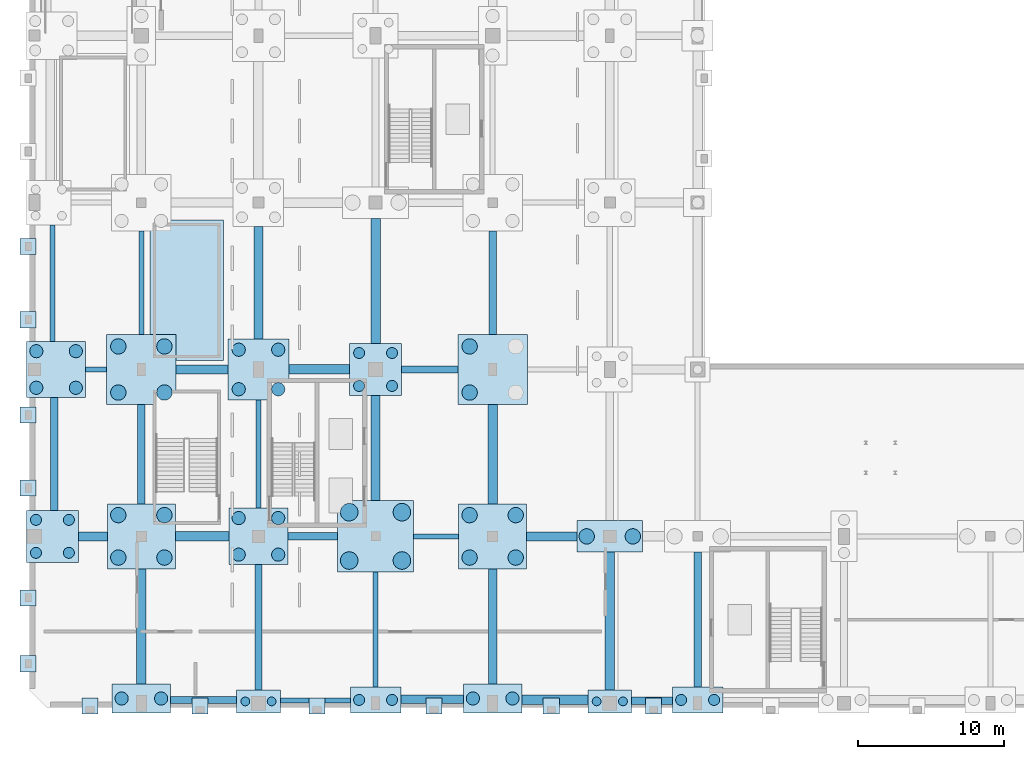
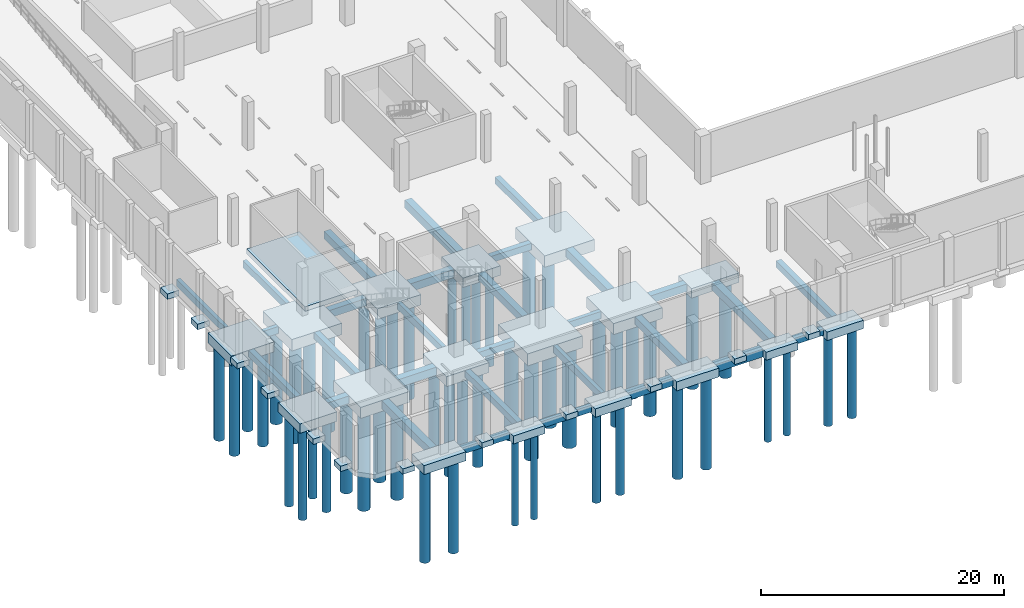
# One storey, part 1 of 34: 60 footings, 52 piles.
"""IFC4 building model written with IfcOpenShell, lengths in metres."""

from ifc_helpers import new_model, si_unit, direction, frame, origin, origin_2d, place, context, subcontext, project, spatial, rectangle, circle, extrude, material, material_profile, profile_set, type_object, element, save


model = new_model("IFC4")

# Units and contexts
model_context = context("Model", 3, precision=1e-05, world=origin(), true_north=direction((0.0, 1.0)))
body_context = subcontext(model_context, "Body", "Model", "MODEL_VIEW")
ifc_project = project(units=[si_unit("LENGTHUNIT", "METRE"), si_unit("AREAUNIT", "SQUARE_METRE"), si_unit("VOLUMEUNIT", "CUBIC_METRE"), si_unit("PLANEANGLEUNIT", "RADIAN"), si_unit("MASSUNIT", "GRAM", prefix="KILO"), si_unit("POWERUNIT", "WATT"), si_unit("THERMODYNAMICTEMPERATUREUNIT", "KELVIN")], contexts=[model_context])

# Site, building, storey
site_placement = place(None, origin())
site = spatial("IfcSite", under=ifc_project, at=site_placement, CompositionType="ELEMENT")
building_placement = place(site_placement, origin())
building = spatial("IfcBuilding", under=site, at=building_placement, Name="Kelmbourne Parkland Aquatics Centre", CompositionType="ELEMENT")
storey_placement = place(building_placement, frame((0.0, 0.0, -4.800048828125)))
storey = spatial("IfcBuildingStorey", under=building, at=storey_placement, Name="B1", CompositionType="ELEMENT", Elevation=-4.800048828125)

# Footings
ifc_material = material(Name="Waterproof concrete C50/60", Category="concrete")
footing_type_1 = type_object("IfcFootingType", Name="FT-FB1", PredefinedType="FOOTING_BEAM", material=ifc_material)
footing_1_placement = place(storey_placement, frame((12.25, 1.02490234375, -1.099853515625), z_axis=(0.0, 0.0, 1.0), x_axis=(1.0, 0.0, 0.0)))
element("IfcFooting", 1, at=footing_1_placement, inside=storey, type_object=footing_type_1, Name="Ground tie beam B-C on Grid 01", PredefinedType="FOOTING_BEAM", context=body_context, shape_type="SweptSolid", body=[
    extrude(rectangle(XDim=4.5, YDim=0.5, at=origin_2d()), origin(), (0.0, 0.0, 1.0), 0.64990234375),
])
footing_2_placement = place(storey_placement, frame((42.887451171875, 0.97509765625, -1.099853515625), z_axis=(0.0, 0.0, 1.0), x_axis=(1.0, 0.0, 0.0)))
element("IfcFooting", 2, at=footing_2_placement, inside=storey, type_object=footing_type_1, Name="Ground tie beam F-G on Grid 01", PredefinedType="FOOTING_BEAM", context=body_context, shape_type="SweptSolid", body=[
    extrude(rectangle(XDim=2.77490234375, YDim=0.5, at=origin_2d()), origin(), (0.0, 0.0, 1.0), 0.64990234375),
])
footing_3_placement = place(storey_placement, frame((19.71240234375, 12.199951171875, -1.099853515625), z_axis=(0.0, 0.0, 1.0), x_axis=(1.0, 0.0, 0.0)))
element("IfcFooting", 3, at=footing_3_placement, inside=storey, type_object=footing_type_1, Name="Ground tie beam C-D on Grid 03", PredefinedType="FOOTING_BEAM", context=body_context, shape_type="SweptSolid", body=[
    extrude(rectangle(XDim=3.375, YDim=0.5, at=origin_2d()), origin(), (0.0, 0.0, 1.0), 0.64990234375),
])
footing_4_placement = place(storey_placement, frame((27.699951171875, 23.60009765625, -1.099853515625), z_axis=(0.0, 0.0, 1.0), x_axis=(1.0, 0.0, 0.0)))
element("IfcFooting", 4, at=footing_4_placement, inside=storey, type_object=footing_type_1, Name="Ground tie beam D-E on Grid 04", PredefinedType="FOOTING_BEAM", context=body_context, shape_type="SweptSolid", body=[
    extrude(rectangle(XDim=3.85009765625, YDim=0.5, at=origin_2d()), origin(), (0.0, 0.0, 1.0), 0.64990234375),
])
footing_5_placement = place(storey_placement, frame((2.050048828125, 17.824951171875, -1.099853515625), z_axis=(0.0, 0.0, 1.0), x_axis=(0.0, 1.0, 0.0)))
element("IfcFooting", 5, at=footing_5_placement, inside=storey, type_object=footing_type_1, Name="Ground tie beam 03-04 on Grid A", PredefinedType="FOOTING_BEAM", context=body_context, shape_type="SweptSolid", body=[
    extrude(rectangle(XDim=7.699951171875, YDim=0.5, at=origin_2d()), origin(), (0.0, 0.0, 1.0), 0.64990234375),
])
footing_6_placement = place(storey_placement, frame((8.0, 17.824951171875, -1.099853515625), z_axis=(0.0, 0.0, 1.0), x_axis=(0.0, 1.0, 0.0)))
element("IfcFooting", 6, at=footing_6_placement, inside=storey, type_object=footing_type_1, Name="Ground tie beam 03-04 on Grid B", PredefinedType="FOOTING_BEAM", context=body_context, shape_type="SweptSolid", body=[
    extrude(rectangle(XDim=6.800048828125, YDim=0.5, at=origin_2d()), origin(), (0.0, 0.0, 1.0), 0.64990234375),
])
footing_7_placement = place(storey_placement, frame((16.0, 5.987548828125, -1.099853515625), z_axis=(0.0, 0.0, 1.0), x_axis=(0.0, 1.0, 0.0)))
element("IfcFooting", 7, at=footing_7_placement, inside=storey, type_object=footing_type_1, Name="Ground tie beam 01-03 on Grid C", PredefinedType="FOOTING_BEAM", context=body_context, shape_type="SweptSolid", body=[
    extrude(rectangle(XDim=8.574951171875, YDim=0.5, at=origin_2d()), origin(), (0.0, 0.0, 1.0), 0.64990234375),
])
footing_8_placement = place(storey_placement, frame((32.0, 29.52490234375, -1.099853515625), z_axis=(0.0, 0.0, 1.0), x_axis=(0.0, 1.0, 0.0)))
element("IfcFooting", 8, at=footing_8_placement, inside=storey, type_object=footing_type_1, Name="Ground tie beam 04-05 on Grid E", PredefinedType="FOOTING_BEAM", context=body_context, shape_type="SweptSolid", body=[
    extrude(rectangle(XDim=7.10009765625, YDim=0.5, at=origin_2d()), origin(), (0.0, 0.0, 1.0), 0.64990234375),
])
footing_9_placement = place(storey_placement, frame((46.0, 6.512451171875, -1.099853515625), z_axis=(0.0, 0.0, 1.0), x_axis=(0.0, 1.0, 0.0)))
element("IfcFooting", 9, at=footing_9_placement, inside=storey, type_object=footing_type_1, Name="Ground tie beam 01-03 on Grid G", PredefinedType="FOOTING_BEAM", context=body_context, shape_type="SweptSolid", body=[
    extrude(rectangle(XDim=9.22509765625, YDim=0.5, at=origin_2d()), origin(), (0.0, 0.0, 1.0), 0.64990234375),
])
footing_type_2 = type_object("IfcFootingType", Name="FT-FB2", PredefinedType="FOOTING_BEAM", material=ifc_material)
footing_10_placement = place(storey_placement, frame((19.887451171875, 0.97509765625, -1.14990234375), z_axis=(0.0, 0.0, 1.0), x_axis=(1.0, 0.0, 0.0)))
element("IfcFooting", 10, at=footing_10_placement, inside=storey, type_object=footing_type_2, Name="Ground tie beam C-D on Grid 01", PredefinedType="FOOTING_BEAM", context=body_context, shape_type="SweptSolid", body=[
    extrude(rectangle(XDim=4.77490234375, YDim=0.35009765625, at=origin_2d()), origin(), (0.0, 0.0, 1.0), 0.699951171875),
])
footing_11_placement = place(storey_placement, frame((28.137451171875, 12.199951171875, -1.14990234375), z_axis=(0.0, 0.0, 1.0), x_axis=(1.0, 0.0, 0.0)))
element("IfcFooting", 11, at=footing_11_placement, inside=storey, type_object=footing_type_2, Name="Ground tie beam D-E on Grid 03", PredefinedType="FOOTING_BEAM", context=body_context, shape_type="SweptSolid", body=[
    extrude(rectangle(XDim=3.074951171875, YDim=0.35009765625, at=origin_2d()), origin(), (0.0, 0.0, 1.0), 0.699951171875),
])
footing_12_placement = place(storey_placement, frame((4.91259765625, 23.60009765625, -1.14990234375), z_axis=(0.0, 0.0, 1.0), x_axis=(1.0, 0.0, 0.0)))
element("IfcFooting", 12, at=footing_12_placement, inside=storey, type_object=footing_type_2, Name="Ground tie beam A-B on Grid 04", PredefinedType="FOOTING_BEAM", context=body_context, shape_type="SweptSolid", body=[
    extrude(rectangle(XDim=1.425048828125, YDim=0.35009765625, at=origin_2d()), origin(), (0.0, 0.0, 1.0), 0.699951171875),
])
footing_13_placement = place(storey_placement, frame((1.925048828125, 29.5, -1.14990234375), z_axis=(0.0, 0.0, 1.0), x_axis=(0.0, 1.0, 0.0)))
element("IfcFooting", 13, at=footing_13_placement, inside=storey, type_object=footing_type_2, Name="Ground tie beam 04-05 on Grid A", PredefinedType="FOOTING_BEAM", context=body_context, shape_type="SweptSolid", body=[
    extrude(rectangle(XDim=7.949951171875, YDim=0.35009765625, at=origin_2d()), origin(), (0.0, 0.0, 1.0), 0.699951171875),
])
footing_14_placement = place(storey_placement, frame((8.0, 29.52490234375, -1.14990234375), z_axis=(0.0, 0.0, 1.0), x_axis=(0.0, 1.0, 0.0)))
element("IfcFooting", 14, at=footing_14_placement, inside=storey, type_object=footing_type_2, Name="Ground tie beam 04-05 on Grid B", PredefinedType="FOOTING_BEAM", context=body_context, shape_type="SweptSolid", body=[
    extrude(rectangle(XDim=7.10009765625, YDim=0.35009765625, at=origin_2d()), origin(), (0.0, 0.0, 1.0), 0.699951171875),
])
footing_15_placement = place(storey_placement, frame((16.0, 17.824951171875, -1.14990234375), z_axis=(0.0, 0.0, 1.0), x_axis=(0.0, 1.0, 0.0)))
element("IfcFooting", 15, at=footing_15_placement, inside=storey, type_object=footing_type_2, Name="Ground tie beam 03-04 on Grid C", PredefinedType="FOOTING_BEAM", context=body_context, shape_type="SweptSolid", body=[
    extrude(rectangle(XDim=7.39990234375, YDim=0.35009765625, at=origin_2d()), origin(), (0.0, 0.0, 1.0), 0.699951171875),
])
footing_16_placement = place(storey_placement, frame((24.0, 5.824951171875, -1.14990234375), z_axis=(0.0, 0.0, 1.0), x_axis=(0.0, 1.0, 0.0)))
element("IfcFooting", 16, at=footing_16_placement, inside=storey, type_object=footing_type_2, Name="Ground tie beam 01-03 on Grid D", PredefinedType="FOOTING_BEAM", context=body_context, shape_type="SweptSolid", body=[
    extrude(rectangle(XDim=7.85009765625, YDim=0.35009765625, at=origin_2d()), origin(), (0.0, 0.0, 1.0), 0.699951171875),
])
footing_type_3 = type_object("IfcFootingType", Name="FT-FB3", PredefinedType="FOOTING_BEAM", material=ifc_material)
footing_17_placement = place(storey_placement, frame((27.862548828125, 1.074951171875, -1.199951171875), z_axis=(0.0, 0.0, 1.0), x_axis=(1.0, 0.0, 0.0)))
element("IfcFooting", 17, at=footing_17_placement, inside=storey, type_object=footing_type_3, Name="Ground tie beam D-E on Grid 01", PredefinedType="FOOTING_BEAM", context=body_context, shape_type="SweptSolid", body=[
    extrude(rectangle(XDim=4.27490234375, YDim=0.60009765625, at=origin_2d()), origin(), (0.0, 0.0, 1.0), 0.75),
])
footing_18_placement = place(storey_placement, frame((4.6875, 12.199951171875, -1.199951171875), z_axis=(0.0, 0.0, 1.0), x_axis=(1.0, 0.0, 0.0)))
element("IfcFooting", 18, at=footing_18_placement, inside=storey, type_object=footing_type_3, Name="Ground tie beam A-B on Grid 03", PredefinedType="FOOTING_BEAM", context=body_context, shape_type="SweptSolid", body=[
    extrude(rectangle(XDim=1.97509765625, YDim=0.60009765625, at=origin_2d()), origin(), (0.0, 0.0, 1.0), 0.75),
])
footing_19_placement = place(storey_placement, frame((36.03759765625, 12.199951171875, -1.199951171875), z_axis=(0.0, 0.0, 1.0), x_axis=(1.0, 0.0, 0.0)))
element("IfcFooting", 19, at=footing_19_placement, inside=storey, type_object=footing_type_3, Name="Ground tie beam E-F on Grid 03", PredefinedType="FOOTING_BEAM", context=body_context, shape_type="SweptSolid", body=[
    extrude(rectangle(XDim=3.425048828125, YDim=0.60009765625, at=origin_2d()), origin(), (0.0, 0.0, 1.0), 0.75),
])
footing_20_placement = place(storey_placement, frame((12.14990234375, 23.60009765625, -1.199951171875), z_axis=(0.0, 0.0, 1.0), x_axis=(1.0, 0.0, 0.0)))
element("IfcFooting", 20, at=footing_20_placement, inside=storey, type_object=footing_type_3, Name="Ground tie beam B-C on Grid 04", PredefinedType="FOOTING_BEAM", context=body_context, shape_type="SweptSolid", body=[
    extrude(rectangle(XDim=3.550048828125, YDim=0.60009765625, at=origin_2d()), origin(), (0.0, 0.0, 1.0), 0.75),
])
footing_21_placement = place(storey_placement, frame((16.0, 29.52490234375, -1.199951171875), z_axis=(0.0, 0.0, 1.0), x_axis=(0.0, 1.0, 0.0)))
element("IfcFooting", 21, at=footing_21_placement, inside=storey, type_object=footing_type_3, Name="Ground tie beam 04-05 on Grid C", PredefinedType="FOOTING_BEAM", context=body_context, shape_type="SweptSolid", body=[
    extrude(rectangle(XDim=7.699951171875, YDim=0.60009765625, at=origin_2d()), origin(), (0.0, 0.0, 1.0), 0.75),
])
footing_22_placement = place(storey_placement, frame((24.0, 18.237548828125, -1.199951171875), z_axis=(0.0, 0.0, 1.0), x_axis=(0.0, 1.0, 0.0)))
element("IfcFooting", 22, at=footing_22_placement, inside=storey, type_object=footing_type_3, Name="Ground tie beam 03-04 on Grid D", PredefinedType="FOOTING_BEAM", context=body_context, shape_type="SweptSolid", body=[
    extrude(rectangle(XDim=7.175048828125, YDim=0.60009765625, at=origin_2d()), origin(), (0.0, 0.0, 1.0), 0.75),
])
footing_23_placement = place(storey_placement, frame((32.0, 6.03759765625, -1.199951171875), z_axis=(0.0, 0.0, 1.0), x_axis=(0.0, 1.0, 0.0)))
element("IfcFooting", 23, at=footing_23_placement, inside=storey, type_object=footing_type_3, Name="Ground tie beam 01-03 on Grid E", PredefinedType="FOOTING_BEAM", context=body_context, shape_type="SweptSolid", body=[
    extrude(rectangle(XDim=7.875, YDim=0.60009765625, at=origin_2d()), origin(), (0.0, 0.0, 1.0), 0.75),
])
footing_type_4 = type_object("IfcFootingType", Name="FT-FB4", PredefinedType="FOOTING_BEAM", material=ifc_material)
footing_24_placement = place(storey_placement, frame((36.25, 1.02490234375, -1.25), z_axis=(0.0, 0.0, 1.0), x_axis=(1.0, 0.0, 0.0)))
element("IfcFooting", 24, at=footing_24_placement, inside=storey, type_object=footing_type_4, Name="Ground tie beam E-F on Grid 01", PredefinedType="FOOTING_BEAM", context=body_context, shape_type="SweptSolid", body=[
    extrude(rectangle(XDim=4.5, YDim=0.64990234375, at=origin_2d()), origin(), (0.0, 0.0, 1.0), 0.800048828125),
])
footing_25_placement = place(storey_placement, frame((12.14990234375, 12.199951171875, -1.25), z_axis=(0.0, 0.0, 1.0), x_axis=(1.0, 0.0, 0.0)))
element("IfcFooting", 25, at=footing_25_placement, inside=storey, type_object=footing_type_4, Name="Ground tie beam B-C on Grid 03", PredefinedType="FOOTING_BEAM", context=body_context, shape_type="SweptSolid", body=[
    extrude(rectangle(XDim=3.64990234375, YDim=0.64990234375, at=origin_2d()), origin(), (0.0, 0.0, 1.0), 0.800048828125),
])
footing_26_placement = place(storey_placement, frame((20.14990234375, 23.60009765625, -1.25), z_axis=(0.0, 0.0, 1.0), x_axis=(1.0, 0.0, 0.0)))
element("IfcFooting", 26, at=footing_26_placement, inside=storey, type_object=footing_type_4, Name="Ground tie beam C-D on Grid 04", PredefinedType="FOOTING_BEAM", context=body_context, shape_type="SweptSolid", body=[
    extrude(rectangle(XDim=4.14990234375, YDim=0.64990234375, at=origin_2d()), origin(), (0.0, 0.0, 1.0), 0.800048828125),
])
footing_27_placement = place(storey_placement, frame((8.0, 6.03759765625, -1.25), z_axis=(0.0, 0.0, 1.0), x_axis=(0.0, 1.0, 0.0)))
element("IfcFooting", 27, at=footing_27_placement, inside=storey, type_object=footing_type_4, Name="Ground tie beam 01-03 on Grid B", PredefinedType="FOOTING_BEAM", context=body_context, shape_type="SweptSolid", body=[
    extrude(rectangle(XDim=7.875, YDim=0.64990234375, at=origin_2d()), origin(), (0.0, 0.0, 1.0), 0.800048828125),
])
footing_28_placement = place(storey_placement, frame((24.0, 29.64990234375, -1.25), z_axis=(0.0, 0.0, 1.0), x_axis=(0.0, 1.0, 0.0)))
element("IfcFooting", 28, at=footing_28_placement, inside=storey, type_object=footing_type_4, Name="Ground tie beam 04-05 on Grid D", PredefinedType="FOOTING_BEAM", context=body_context, shape_type="SweptSolid", body=[
    extrude(rectangle(XDim=8.550048828125, YDim=0.64990234375, at=origin_2d()), origin(), (0.0, 0.0, 1.0), 0.800048828125),
])
footing_29_placement = place(storey_placement, frame((32.0, 17.824951171875, -1.25), z_axis=(0.0, 0.0, 1.0), x_axis=(0.0, 1.0, 0.0)))
element("IfcFooting", 29, at=footing_29_placement, inside=storey, type_object=footing_type_4, Name="Ground tie beam 03-04 on Grid E", PredefinedType="FOOTING_BEAM", context=body_context, shape_type="SweptSolid", body=[
    extrude(rectangle(XDim=6.800048828125, YDim=0.64990234375, at=origin_2d()), origin(), (0.0, 0.0, 1.0), 0.800048828125),
])
footing_30_placement = place(storey_placement, frame((40.0, 6.41259765625, -1.25), z_axis=(0.0, 0.0, 1.0), x_axis=(0.0, 1.0, 0.0)))
element("IfcFooting", 30, at=footing_30_placement, inside=storey, type_object=footing_type_4, Name="Ground tie beam 01-03 on Grid F", PredefinedType="FOOTING_BEAM", context=body_context, shape_type="SweptSolid", body=[
    extrude(rectangle(XDim=9.425048828125, YDim=0.64990234375, at=origin_2d()), origin(), (0.0, 0.0, 1.0), 0.800048828125),
])
footing_type_5 = type_object("IfcFootingType", Name="FT-PC04", PredefinedType="PILE_CAP", material=ifc_material)
for number, where, z_axis, x_axis, name in (
    (31, (16.0, 0.925048828125, -1.25), (0.0, 0.0, 1.0), (1.0, 0.0, 0.0), "Bored pile cap PC-C-01"),
    (32, (40.0, 0.925048828125, -1.25), (0.0, 0.0, 1.0), (1.0, 0.0, 0.0), "Bored pile cap PC-F-01"),
):
    element("IfcFooting", number, at=place(storey_placement, frame(where, z_axis=z_axis, x_axis=x_axis)), inside=storey, type_object=footing_type_5, Name=name, PredefinedType="PILE_CAP", context=body_context, shape_type="SweptSolid", body=[
        extrude(rectangle(XDim=3.0, YDim=1.550048828125, at=origin_2d()), origin(), (0.0, 0.0, 1.0), 0.800048828125),
    ])
footing_type_6 = type_object("IfcFootingType", Name="FT-PC06", PredefinedType="PILE_CAP", material=ifc_material)
for number, where, z_axis, x_axis, name in (
    (33, (24.0, 1.02490234375, -1.300048828125), (0.0, 0.0, 1.0), (1.0, 0.0, 0.0), "Bored pile cap PC-D-01"),
    (34, (46.0, 1.02490234375, -1.300048828125), (0.0, 0.0, 1.0), (1.0, 0.0, 0.0), "Bored pile cap PC-G-01"),
):
    element("IfcFooting", number, at=place(storey_placement, frame(where, z_axis=z_axis, x_axis=x_axis)), inside=storey, type_object=footing_type_6, Name=name, PredefinedType="PILE_CAP", context=body_context, shape_type="SweptSolid", body=[
        extrude(rectangle(XDim=3.449951171875, YDim=1.75, at=origin_2d()), origin(), (0.0, 0.0, 1.0), 0.85009765625),
    ])
footing_type_7 = type_object("IfcFootingType", Name="FT-PC08", PredefinedType="PILE_CAP", material=ifc_material)
for number, where, z_axis, x_axis, name in (
    (35, (8.0, 1.125, -1.349853515625), (0.0, 0.0, 1.0), (1.0, 0.0, 0.0), "Bored pile cap PC-B-01"),
    (36, (32.0, 1.125, -1.349853515625), (0.0, 0.0, 1.0), (1.0, 0.0, 0.0), "Bored pile cap PC-E-01"),
):
    element("IfcFooting", number, at=place(storey_placement, frame(where, z_axis=z_axis, x_axis=x_axis)), inside=storey, type_object=footing_type_7, Name=name, PredefinedType="PILE_CAP", context=body_context, shape_type="SweptSolid", body=[
        extrude(rectangle(XDim=4.0, YDim=1.949951171875, at=origin_2d()), origin(), (0.0, 0.0, 1.0), 0.89990234375),
    ])
footing_type_8 = type_object("IfcFootingType", Name="FT-PC10", PredefinedType="PILE_CAP", material=ifc_material)
footing_31_placement = place(storey_placement, frame((40.0, 12.199951171875, -1.39990234375), z_axis=(0.0, 0.0, 1.0), x_axis=(1.0, 0.0, 0.0)))
element("IfcFooting", 37, at=footing_31_placement, inside=storey, type_object=footing_type_8, Name="Bored pile cap PC-F-03", PredefinedType="PILE_CAP", context=body_context, shape_type="SweptSolid", body=[
    extrude(rectangle(XDim=4.5, YDim=2.14990234375, at=origin_2d()), origin(), (0.0, 0.0, 1.0), 0.949951171875),
])
footing_type_9 = type_object("IfcFootingType", Name="FT-PC13", PredefinedType="PILE_CAP", material=ifc_material)
for number, where, z_axis, x_axis, name in (
    (38, (1.925048828125, 12.199951171875, -1.39990234375), (0.0, 0.0, 1.0), (1.0, 0.0, 0.0), "Bored pile cap PC-A-03"),
    (39, (24.0, 23.60009765625, -1.39990234375), (0.0, 0.0, 1.0), (1.0, 0.0, 0.0), "Bored pile cap PC-D-04"),
):
    element("IfcFooting", number, at=place(storey_placement, frame(where, z_axis=z_axis, x_axis=x_axis)), inside=storey, type_object=footing_type_9, Name=name, PredefinedType="PILE_CAP", context=body_context, shape_type="SweptSolid", body=[
        extrude(rectangle(XDim=3.550048828125, YDim=3.550048828125, at=origin_2d()), origin(), (0.0, 0.0, 1.0), 0.949951171875),
    ])
footing_type_10 = type_object("IfcFootingType", Name="FT-PC14", PredefinedType="PILE_CAP", material=ifc_material)
for number, where, z_axis, x_axis, name in (
    (40, (2.175048828125, 23.60009765625, -1.449951171875), (0.0, 0.0, 1.0), (1.0, 0.0, 0.0), "Bored pile cap PC-A-04"),
    (41, (16.0, 12.199951171875, -1.449951171875), (0.0, 0.0, 1.0), (1.0, 0.0, 0.0), "Bored pile cap PC-C-03"),
):
    element("IfcFooting", number, at=place(storey_placement, frame(where, z_axis=z_axis, x_axis=x_axis)), inside=storey, type_object=footing_type_10, Name=name, PredefinedType="PILE_CAP", context=body_context, shape_type="SweptSolid", body=[
        extrude(rectangle(XDim=4.050048828125, YDim=3.85009765625, at=origin_2d()), origin(), (0.0, 0.0, 1.0), 1.0),
    ])
footing_type_11 = type_object("IfcFootingType", Name="FT-PC15", PredefinedType="PILE_CAP", material=ifc_material)
footing_32_placement = place(storey_placement, frame((16.0, 23.60009765625, -1.5), z_axis=(0.0, 0.0, 1.0), x_axis=(1.0, 0.0, 0.0)))
element("IfcFooting", 42, at=footing_32_placement, inside=storey, type_object=footing_type_11, Name="Bored pile cap PC-C-04", PredefinedType="PILE_CAP", context=body_context, shape_type="SweptSolid", body=[
    extrude(rectangle(XDim=4.14990234375, YDim=4.14990234375, at=origin_2d()), origin(), (0.0, 0.0, 1.0), 1.050048828125),
])
footing_type_12 = type_object("IfcFootingType", Name="FT-PC16", PredefinedType="PILE_CAP", material=ifc_material)
for number, where, z_axis, x_axis, name in (
    (43, (8.0, 12.199951171875, -1.550048828125), (0.0, 0.0, 1.0), (1.0, 0.0, 0.0), "Bored pile cap PC-B-03"),
    (44, (32.0, 12.199951171875, -1.550048828125), (0.0, 0.0, 1.0), (1.0, 0.0, 0.0), "Bored pile cap PC-E-03"),
):
    element("IfcFooting", number, at=place(storey_placement, frame(where, z_axis=z_axis, x_axis=x_axis)), inside=storey, type_object=footing_type_12, Name=name, PredefinedType="PILE_CAP", context=body_context, shape_type="SweptSolid", body=[
        extrude(rectangle(XDim=4.64990234375, YDim=4.449951171875, at=origin_2d()), origin(), (0.0, 0.0, 1.0), 1.10009765625),
    ])
footing_type_13 = type_object("IfcFootingType", Name="FT-PC17", PredefinedType="PILE_CAP", material=ifc_material)
for number, where, z_axis, x_axis, name in (
    (45, (8.0, 23.60009765625, -1.599853515625), (0.0, 0.0, 1.0), (1.0, 0.0, 0.0), "Bored pile cap PC-B-04"),
    (46, (32.0, 23.60009765625, -1.599853515625), (0.0, 0.0, 1.0), (1.0, 0.0, 0.0), "Bored pile cap PC-E-04"),
):
    element("IfcFooting", number, at=place(storey_placement, frame(where, z_axis=z_axis, x_axis=x_axis)), inside=storey, type_object=footing_type_13, Name=name, PredefinedType="PILE_CAP", context=body_context, shape_type="SweptSolid", body=[
        extrude(rectangle(XDim=4.75, YDim=4.75, at=origin_2d()), origin(), (0.0, 0.0, 1.0), 1.14990234375),
    ])
footing_type_14 = type_object("IfcFootingType", Name="FT-PC18", PredefinedType="PILE_CAP", material=ifc_material)
footing_33_placement = place(storey_placement, frame((24.0, 12.199951171875, -1.64990234375), z_axis=(0.0, 0.0, 1.0), x_axis=(1.0, 0.0, 0.0)))
element("IfcFooting", 47, at=footing_33_placement, inside=storey, type_object=footing_type_14, Name="Bored pile cap PC-D-03", PredefinedType="PILE_CAP", context=body_context, shape_type="SweptSolid", body=[
    extrude(rectangle(XDim=5.199951171875, YDim=4.89990234375, at=origin_2d()), origin(), (0.0, 0.0, 1.0), 1.199951171875),
])
footing_type_15 = type_object("IfcFootingType", Name="FT-SF1", PredefinedType="STRIP_FOOTING", material=ifc_material)
for number, where, z_axis, x_axis, name in (
    (48, (0.260009765625, 3.5, -0.5498046875), (0.0, 0.0, 1.0), (1.0, 0.0, 0.0), "Brick buttress footing W-001"),
    (49, (0.260009765625, 8.0, -0.5498046875), (0.0, 0.0, 1.0), (1.0, 0.0, 0.0), "Brick buttress footing W-002"),
    (50, (0.260009765625, 15.5, -0.5498046875), (0.0, 0.0, 1.0), (1.0, 0.0, 0.0), "Brick buttress footing W-003"),
    (51, (0.260009765625, 20.5, -0.5498046875), (0.0, 0.0, 1.0), (1.0, 0.0, 0.0), "Brick buttress footing W-004"),
    (52, (0.260009765625, 27.0, -0.5498046875), (0.0, 0.0, 1.0), (1.0, 0.0, 0.0), "Brick buttress footing W-005"),
    (53, (0.260009765625, 32.0, -0.5498046875), (0.0, 0.0, 1.0), (1.0, 0.0, 0.0), "Brick buttress footing W-006"),
    (54, (4.5, 0.60009765625, -0.5498046875), (0.0, 0.0, 1.0), (1.0, 0.0, 0.0), "Brick buttress footing S-019"),
    (55, (12.0, 0.60009765625, -0.5498046875), (0.0, 0.0, 1.0), (1.0, 0.0, 0.0), "Brick buttress footing S-020"),
    (56, (20.0, 0.60009765625, -0.5498046875), (0.0, 0.0, 1.0), (1.0, 0.0, 0.0), "Brick buttress footing S-021"),
    (57, (28.0, 0.60009765625, -0.5498046875), (0.0, 0.0, 1.0), (1.0, 0.0, 0.0), "Brick buttress footing S-022"),
    (58, (36.0, 0.60009765625, -0.5498046875), (0.0, 0.0, 1.0), (1.0, 0.0, 0.0), "Brick buttress footing S-023"),
    (59, (43.0, 0.60009765625, -0.5498046875), (0.0, 0.0, 1.0), (1.0, 0.0, 0.0), "Brick buttress footing S-024"),
):
    element("IfcFooting", number, at=place(storey_placement, frame(where, z_axis=z_axis, x_axis=x_axis)), inside=storey, type_object=footing_type_15, Name=name, PredefinedType="STRIP_FOOTING", context=body_context, shape_type="SweptSolid", body=[
        extrude(rectangle(XDim=1.10009765625, YDim=1.10009765625, at=origin_2d()), origin(), (0.0, 0.0, 1.0), 0.550048828125),
    ])
footing_34_placement = place(storey_placement, frame((11.10009765625, 29.0, -0.5), z_axis=(0.0, 0.0, 1.0), x_axis=(1.0, 0.0, 0.0)))
element("IfcFooting", 60, at=footing_34_placement, inside=storey, type_object=footing_type_15, Name="West Central Park Exit Stair foundation pad", PredefinedType="STRIP_FOOTING", context=body_context, shape_type="SweptSolid", body=[
    extrude(rectangle(XDim=5.0, YDim=9.60009765625, at=origin_2d()), origin(), (0.0, 0.0, 1.0), 0.5),
])

# Piles
ifc_material_profile_1 = material_profile(ifc_material, circle(Radius=0.52490234375, at=origin_2d()), Name="PILE D1050")
ifc_profile_set_1 = profile_set([ifc_material_profile_1], Name="Waterproof concrete C50/60")
pile_type_1 = type_object("IfcPileType", Name="PL-1050", PredefinedType="BORED", material=ifc_profile_set_1)
for number, where, z_axis, x_axis, name in (
    (61, (6.425048828125, 10.75, -1.449951171875), (0.0, 0.0, -1.0), (1.0, 0.0, 0.0), "Rock-socketed bored pile B-03-1"),
    (62, (9.574951171875, 10.75, -1.449951171875), (0.0, 0.0, -1.0), (1.0, 0.0, 0.0), "Rock-socketed bored pile B-03-2"),
    (63, (6.425048828125, 13.64990234375, -1.449951171875), (0.0, 0.0, -1.0), (1.0, 0.0, 0.0), "Rock-socketed bored pile B-03-3"),
    (64, (9.574951171875, 13.64990234375, -1.449951171875), (0.0, 0.0, -1.0), (1.0, 0.0, 0.0), "Rock-socketed bored pile B-03-4"),
    (65, (6.425048828125, 22.02490234375, -1.5), (0.0, 0.0, -1.0), (1.0, 0.0, 0.0), "Rock-socketed bored pile B-04-1"),
    (66, (9.574951171875, 22.02490234375, -1.5), (0.0, 0.0, -1.0), (1.0, 0.0, 0.0), "Rock-socketed bored pile B-04-2"),
    (67, (6.425048828125, 25.175048828125, -1.5), (0.0, 0.0, -1.0), (1.0, 0.0, 0.0), "Rock-socketed bored pile B-04-3"),
    (68, (9.574951171875, 25.175048828125, -1.5), (0.0, 0.0, -1.0), (1.0, 0.0, 0.0), "Rock-socketed bored pile B-04-4"),
    (69, (30.425048828125, 10.75, -1.449951171875), (0.0, 0.0, -1.0), (1.0, 0.0, 0.0), "Rock-socketed bored pile E-03-1"),
    (70, (33.574951171875, 10.75, -1.449951171875), (0.0, 0.0, -1.0), (1.0, 0.0, 0.0), "Rock-socketed bored pile E-03-2"),
    (71, (30.425048828125, 13.64990234375, -1.449951171875), (0.0, 0.0, -1.0), (1.0, 0.0, 0.0), "Rock-socketed bored pile E-03-3"),
    (72, (33.574951171875, 13.64990234375, -1.449951171875), (0.0, 0.0, -1.0), (1.0, 0.0, 0.0), "Rock-socketed bored pile E-03-4"),
    (73, (30.425048828125, 22.02490234375, -1.5), (0.0, 0.0, -1.0), (1.0, 0.0, 0.0), "Rock-socketed bored pile E-04-1"),
    (74, (30.425048828125, 25.175048828125, -1.5), (0.0, 0.0, -1.0), (1.0, 0.0, 0.0), "Rock-socketed bored pile E-04-3"),
    (75, (38.425048828125, 12.199951171875, -1.300048828125), (0.0, 0.0, -1.0), (1.0, 0.0, 0.0), "Rock-socketed bored pile F-03-1"),
    (76, (41.574951171875, 12.199951171875, -1.300048828125), (0.0, 0.0, -1.0), (1.0, 0.0, 0.0), "Rock-socketed bored pile F-03-2"),
):
    element("IfcPile", number, at=place(storey_placement, frame(where, z_axis=z_axis, x_axis=x_axis)), inside=storey, type_object=pile_type_1, Name=name, PredefinedType="BORED", context=body_context, shape_type="SweptSolid", body=[
        extrude(circle(Radius=0.52490234375, at=origin_2d()), origin(), (0.0, 0.0, 1.0), 9.800048828125),
    ])
ifc_material_profile_2 = material_profile(ifc_material, circle(Radius=0.60009765625, at=origin_2d()), Name="PILE D1200")
ifc_profile_set_2 = profile_set([ifc_material_profile_2], Name="Waterproof concrete C50/60")
pile_type_2 = type_object("IfcPileType", Name="PL-1200", PredefinedType="BORED", material=ifc_profile_set_2)
for number, where, z_axis, x_axis, name in (
    (77, (22.199951171875, 10.550048828125, -1.550048828125), (0.0, 0.0, -1.0), (1.0, 0.0, 0.0), "Rock-socketed bored pile D-03-1"),
    (78, (25.800048828125, 10.550048828125, -1.550048828125), (0.0, 0.0, -1.0), (1.0, 0.0, 0.0), "Rock-socketed bored pile D-03-2"),
    (79, (22.199951171875, 13.85009765625, -1.550048828125), (0.0, 0.0, -1.0), (1.0, 0.0, 0.0), "Rock-socketed bored pile D-03-3"),
    (80, (25.800048828125, 13.85009765625, -1.550048828125), (0.0, 0.0, -1.0), (1.0, 0.0, 0.0), "Rock-socketed bored pile D-03-4"),
):
    element("IfcPile", number, at=place(storey_placement, frame(where, z_axis=z_axis, x_axis=x_axis)), inside=storey, type_object=pile_type_2, Name=name, PredefinedType="BORED", context=body_context, shape_type="SweptSolid", body=[
        extrude(circle(Radius=0.60009765625, at=origin_2d()), origin(), (0.0, 0.0, 1.0), 10.0),
    ])
ifc_material_profile_3 = material_profile(ifc_material, circle(Radius=0.300048828125, at=origin_2d()), Name="PILE D600")
ifc_profile_set_3 = profile_set([ifc_material_profile_3], Name="Waterproof concrete C50/60")
pile_type_3 = type_object("IfcPileType", Name="PL-600", PredefinedType="BORED", material=ifc_profile_set_3)
for number, where, z_axis, x_axis, name in (
    (81, (15.10009765625, 0.925048828125, -1.14990234375), (0.0, 0.0, -1.0), (1.0, 0.0, 0.0), "Rock-socketed bored pile C-01-1"),
    (82, (16.89990234375, 0.925048828125, -1.14990234375), (0.0, 0.0, -1.0), (1.0, 0.0, 0.0), "Rock-socketed bored pile C-01-2"),
    (83, (39.10009765625, 0.925048828125, -1.14990234375), (0.0, 0.0, -1.0), (1.0, 0.0, 0.0), "Rock-socketed bored pile F-01-1"),
    (84, (40.89990234375, 0.925048828125, -1.14990234375), (0.0, 0.0, -1.0), (1.0, 0.0, 0.0), "Rock-socketed bored pile F-01-2"),
):
    element("IfcPile", number, at=place(storey_placement, frame(where, z_axis=z_axis, x_axis=x_axis)), inside=storey, type_object=pile_type_3, Name=name, PredefinedType="BORED", context=body_context, shape_type="SweptSolid", body=[
        extrude(circle(Radius=0.300048828125, at=origin_2d()), origin(), (0.0, 0.0, 1.0), 8.800048828125),
    ])
ifc_material_profile_4 = material_profile(ifc_material, circle(Radius=0.375, at=origin_2d()), Name="PILE D750")
ifc_profile_set_4 = profile_set([ifc_material_profile_4], Name="Waterproof concrete C50/60")
pile_type_4 = type_object("IfcPileType", Name="PL-750", PredefinedType="BORED", material=ifc_profile_set_4)
for number, where, z_axis, x_axis, name in (
    (85, (0.800048828125, 11.074951171875, -1.300048828125), (0.0, 0.0, -1.0), (1.0, 0.0, 0.0), "Rock-socketed bored pile A-03-1"),
    (86, (3.050048828125, 11.074951171875, -1.300048828125), (0.0, 0.0, -1.0), (1.0, 0.0, 0.0), "Rock-socketed bored pile A-03-2"),
    (87, (0.800048828125, 13.324951171875, -1.300048828125), (0.0, 0.0, -1.0), (1.0, 0.0, 0.0), "Rock-socketed bored pile A-03-3"),
    (88, (3.050048828125, 13.324951171875, -1.300048828125), (0.0, 0.0, -1.0), (1.0, 0.0, 0.0), "Rock-socketed bored pile A-03-4"),
    (89, (22.875, 1.02490234375, -1.199951171875), (0.0, 0.0, -1.0), (1.0, 0.0, 0.0), "Rock-socketed bored pile D-01-1"),
    (90, (25.125, 1.02490234375, -1.199951171875), (0.0, 0.0, -1.0), (1.0, 0.0, 0.0), "Rock-socketed bored pile D-01-2"),
    (91, (22.875, 22.47509765625, -1.300048828125), (0.0, 0.0, -1.0), (1.0, 0.0, 0.0), "Rock-socketed bored pile D-04-1"),
    (92, (25.125, 22.47509765625, -1.300048828125), (0.0, 0.0, -1.0), (1.0, 0.0, 0.0), "Rock-socketed bored pile D-04-2"),
    (93, (22.875, 24.72509765625, -1.300048828125), (0.0, 0.0, -1.0), (1.0, 0.0, 0.0), "Rock-socketed bored pile D-04-3"),
    (94, (25.125, 24.72509765625, -1.300048828125), (0.0, 0.0, -1.0), (1.0, 0.0, 0.0), "Rock-socketed bored pile D-04-4"),
    (95, (44.875, 1.02490234375, -1.199951171875), (0.0, 0.0, -1.0), (1.0, 0.0, 0.0), "Rock-socketed bored pile G-01-1"),
    (96, (47.125, 1.02490234375, -1.199951171875), (0.0, 0.0, -1.0), (1.0, 0.0, 0.0), "Rock-socketed bored pile G-01-2"),
):
    element("IfcPile", number, at=place(storey_placement, frame(where, z_axis=z_axis, x_axis=x_axis)), inside=storey, type_object=pile_type_4, Name=name, PredefinedType="BORED", context=body_context, shape_type="SweptSolid", body=[
        extrude(circle(Radius=0.375, at=origin_2d()), origin(), (0.0, 0.0, 1.0), 9.199951171875),
    ])
ifc_material_profile_5 = material_profile(ifc_material, circle(Radius=0.449951171875, at=origin_2d()), Name="PILE D900")
ifc_profile_set_5 = profile_set([ifc_material_profile_5], Name="Waterproof concrete C50/60")
pile_type_5 = type_object("IfcPileType", Name="PL-900", PredefinedType="BORED", material=ifc_profile_set_5)
for number, where, z_axis, x_axis, name in (
    (97, (0.824951171875, 22.35009765625, -1.349853515625), (0.0, 0.0, -1.0), (1.0, 0.0, 0.0), "Rock-socketed bored pile A-04-1"),
    (98, (3.52490234375, 22.35009765625, -1.349853515625), (0.0, 0.0, -1.0), (1.0, 0.0, 0.0), "Rock-socketed bored pile A-04-2"),
    (99, (0.824951171875, 24.85009765625, -1.349853515625), (0.0, 0.0, -1.0), (1.0, 0.0, 0.0), "Rock-socketed bored pile A-04-3"),
    (100, (3.52490234375, 24.85009765625, -1.349853515625), (0.0, 0.0, -1.0), (1.0, 0.0, 0.0), "Rock-socketed bored pile A-04-4"),
    (101, (6.64990234375, 1.125, -1.25), (0.0, 0.0, -1.0), (1.0, 0.0, 0.0), "Rock-socketed bored pile B-01-1"),
    (102, (9.35009765625, 1.125, -1.25), (0.0, 0.0, -1.0), (1.0, 0.0, 0.0), "Rock-socketed bored pile B-01-2"),
    (103, (14.64990234375, 10.949951171875, -1.349853515625), (0.0, 0.0, -1.0), (1.0, 0.0, 0.0), "Rock-socketed bored pile C-03-1"),
    (104, (17.35009765625, 10.949951171875, -1.349853515625), (0.0, 0.0, -1.0), (1.0, 0.0, 0.0), "Rock-socketed bored pile C-03-2"),
    (105, (14.64990234375, 13.449951171875, -1.349853515625), (0.0, 0.0, -1.0), (1.0, 0.0, 0.0), "Rock-socketed bored pile C-03-3"),
    (106, (17.35009765625, 13.449951171875, -1.349853515625), (0.0, 0.0, -1.0), (1.0, 0.0, 0.0), "Rock-socketed bored pile C-03-4"),
    (107, (14.64990234375, 22.25, -1.39990234375), (0.0, 0.0, -1.0), (1.0, 0.0, 0.0), "Rock-socketed bored pile C-04-1"),
    (108, (17.35009765625, 22.25, -1.39990234375), (0.0, 0.0, -1.0), (1.0, 0.0, 0.0), "Rock-socketed bored pile C-04-2"),
    (109, (14.64990234375, 24.949951171875, -1.39990234375), (0.0, 0.0, -1.0), (1.0, 0.0, 0.0), "Rock-socketed bored pile C-04-3"),
    (110, (17.35009765625, 24.949951171875, -1.39990234375), (0.0, 0.0, -1.0), (1.0, 0.0, 0.0), "Rock-socketed bored pile C-04-4"),
    (111, (30.64990234375, 1.125, -1.25), (0.0, 0.0, -1.0), (1.0, 0.0, 0.0), "Rock-socketed bored pile E-01-1"),
    (112, (33.35009765625, 1.125, -1.25), (0.0, 0.0, -1.0), (1.0, 0.0, 0.0), "Rock-socketed bored pile E-01-2"),
):
    element("IfcPile", number, at=place(storey_placement, frame(where, z_axis=z_axis, x_axis=x_axis)), inside=storey, type_object=pile_type_5, Name=name, PredefinedType="BORED", context=body_context, shape_type="SweptSolid", body=[
        extrude(circle(Radius=0.449951171875, at=origin_2d()), origin(), (0.0, 0.0, 1.0), 9.5),
    ])

save(model, "model.ifc")
